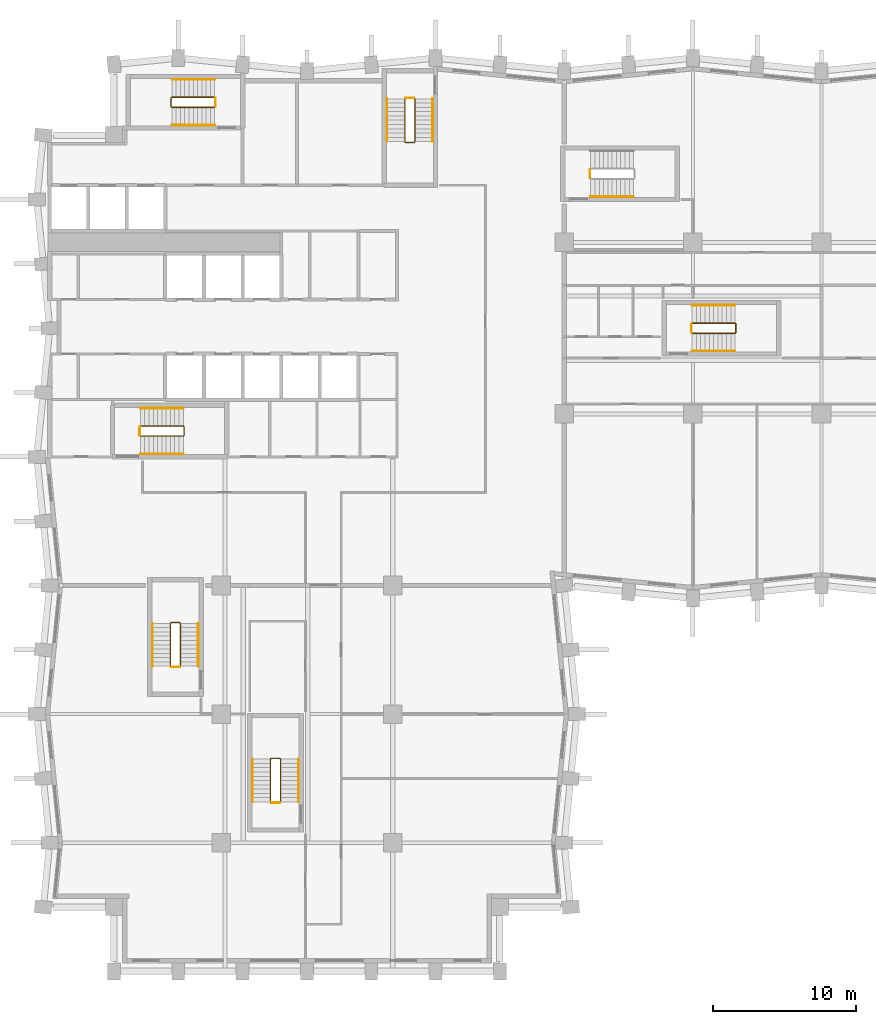
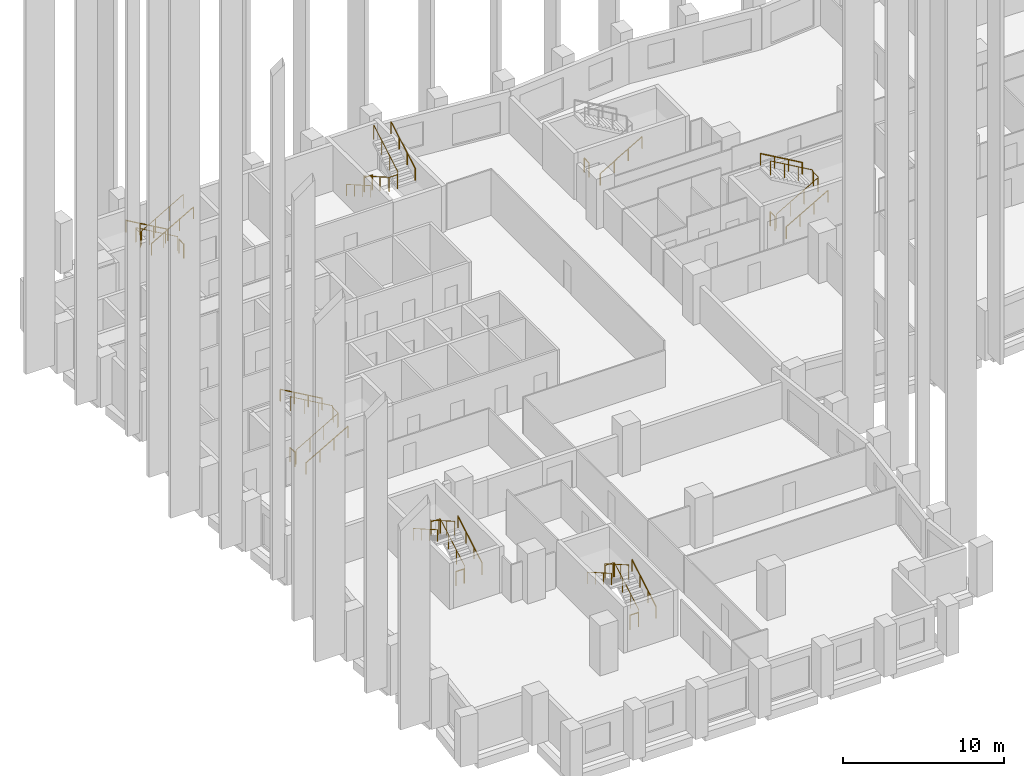
# One storey, part 11 of 12: 26 railings.
"""IFC4 building model written with IfcOpenShell, lengths in metres."""

from ifc_helpers import new_model, si_unit, direction, frame, origin, origin_2d, place, context, subcontext, project, spatial, circle, extrude, material, type_object, element, save


model = new_model("IFC4")

# Units and contexts
model_context = context("Model", 3, precision=1e-05, world=origin(), true_north=direction((0.0, 1.0)))
body_context = subcontext(model_context, "Body", "Model", "MODEL_VIEW")
ifc_project = project(units=[si_unit("LENGTHUNIT", "METRE"), si_unit("AREAUNIT", "SQUARE_METRE"), si_unit("VOLUMEUNIT", "CUBIC_METRE"), si_unit("PLANEANGLEUNIT", "RADIAN"), si_unit("MASSUNIT", "GRAM", prefix="KILO")], contexts=[model_context])

# Site, building, storey
site_placement = place(None, origin())
site = spatial("IfcSite", under=ifc_project, at=site_placement, CompositionType="ELEMENT")
building_placement = place(site_placement, origin())
building = spatial("IfcBuilding", under=site, at=building_placement, Name="Brondeck Convention Tower", CompositionType="ELEMENT")
storey_placement = place(building_placement, frame((0.0, 0.0, 88.5)))
storey = spatial("IfcBuildingStorey", under=building, at=storey_placement, Name="L20", CompositionType="ELEMENT", Elevation=88.5)

# Railings
ifc_material = material(Name="Steel S355", Category="steel")
railing_type_1 = type_object("IfcRailingType", Name="Stair guard 1100", PredefinedType="GUARDRAIL", material=ifc_material)
railing_1_placement = place(storey_placement, frame((6.35009765625, 37.449951171875, 0.172607421875)))
element("IfcRailing", 1, at=railing_1_placement, inside=storey, type_object=railing_type_1, Name="L20 ST-1 stair guard 1", PredefinedType="GUARDRAIL", context=body_context, shape_type="SweptSolid", body=[
    extrude(circle(Radius=0.02392578125, at=origin_2d()), frame((0.0, 0.0, 1.076171875), z_axis=(0.866619684472, 0.0, 0.498969260062), x_axis=(0.0, 1.0, 0.0)), (0.0, 0.0, 1.0), 3.461669921875),
    extrude(circle(Radius=0.02392578125, at=origin_2d()), frame((3.0, 0.0, 2.80322265625), z_axis=(0.705375805398, 0.708833529934, 0.0), x_axis=(-0.708833529934, 0.705375805398, 0.0)), (0.0, 0.0, 1.0), 0.070556640625),
    extrude(circle(Radius=0.02392578125, at=origin_2d()), frame((3.0498046875, 0.050048828125, 2.80322265625), z_axis=(0.0, 1.0, 0.0), x_axis=(-1.0, 0.0, 0.0)), (0.0, 0.0, 1.0), 0.60009765625),
    extrude(circle(Radius=0.02392578125, at=origin_2d()), frame((3.0498046875, 0.650146484375, 2.80322265625), z_axis=(-0.266832911964, 0.266832911964, 0.926067165051), x_axis=(-0.707106781187, -0.707106781187, 0.0)), (0.0, 0.0, 1.0), 0.186767578125),
    extrude(circle(Radius=0.02392578125, at=origin_2d()), frame((3.0, 0.699951171875, 2.97607421875), z_axis=(-0.866619684472, 0.0, 0.498969260062), x_axis=(0.0, -1.0, 0.0)), (0.0, 0.0, 1.0), 3.461669921875),
    extrude(circle(Radius=0.02099609375, at=origin_2d()), origin(), (0.0, 0.0, 1.0), 1.052001953125),
    extrude(circle(Radius=0.02099609375, at=origin_2d()), frame((1.0, 0.0, 0.57568359375)), (0.0, 0.0, 1.0), 1.052001953125),
    extrude(circle(Radius=0.02099609375, at=origin_2d()), frame((2.0, 0.0, 1.151611328125)), (0.0, 0.0, 1.0), 1.052001953125),
    extrude(circle(Radius=0.02099609375, at=origin_2d()), frame((3.0, 0.0, 1.727294921875)), (0.0, 0.0, 1.0), 1.052001953125),
    extrude(circle(Radius=0.02099609375, at=origin_2d()), frame((3.0498046875, 0.050048828125, 1.727294921875)), (0.0, 0.0, 1.0), 1.052001953125),
    extrude(circle(Radius=0.02099609375, at=origin_2d()), frame((3.0498046875, 0.650146484375, 1.727294921875)), (0.0, 0.0, 1.0), 1.052001953125),
    extrude(circle(Radius=0.02099609375, at=origin_2d()), frame((3.0, 0.699951171875, 1.900146484375)), (0.0, 0.0, 1.0), 1.052001953125),
    extrude(circle(Radius=0.02099609375, at=origin_2d()), frame((2.0, 0.699951171875, 2.475830078125)), (0.0, 0.0, 1.0), 1.052001953125),
    extrude(circle(Radius=0.02099609375, at=origin_2d()), frame((1.0, 0.699951171875, 3.0517578125)), (0.0, 0.0, 1.0), 1.052001953125),
    extrude(circle(Radius=0.02099609375, at=origin_2d()), frame((0.0, 0.699951171875, 3.62744140625)), (0.0, 0.0, 1.0), 1.052001953125),
])
railing_2_placement = place(storey_placement, frame((6.300048828125, 37.5, 0.0)))
element("IfcRailing", 2, at=railing_2_placement, inside=storey, type_object=railing_type_1, Name="L20 ST-1 stair guard 2", PredefinedType="GUARDRAIL", context=body_context, shape_type="SweptSolid", body=[
    extrude(circle(Radius=0.02392578125, at=origin_2d()), frame((0.0, 0.0, 1.076171875), z_axis=(0.0, 1.0, 0.0), x_axis=(-1.0, 0.0, 0.0)), (0.0, 0.0, 1.0), 0.60009765625),
    extrude(circle(Radius=0.02099609375, at=origin_2d()), origin(), (0.0, 0.0, 1.0), 1.052001953125),
    extrude(circle(Radius=0.02099609375, at=origin_2d()), frame((0.0, 0.60009765625, 0.0)), (0.0, 0.0, 1.0), 1.052001953125),
])
railing_3_placement = place(storey_placement, frame((24.85009765625, 61.050048828125, 0.172607421875)))
element("IfcRailing", 3, at=railing_3_placement, inside=storey, type_object=railing_type_1, Name="L20 ST-2 stair guard 1", PredefinedType="GUARDRAIL", context=body_context, shape_type="SweptSolid", body=[
    extrude(circle(Radius=0.02392578125, at=origin_2d()), frame((0.0, 0.0, 1.076171875), z_axis=(0.0, -0.866619684472, 0.498969260062), x_axis=(1.0, 0.0, 0.0)), (0.0, 0.0, 1.0), 3.461669921875),
    extrude(circle(Radius=0.02392578125, at=origin_2d()), frame((0.0, -3.0, 2.80322265625), z_axis=(0.705375805398, -0.708833529934, 0.0), x_axis=(0.708833529934, 0.705375805398, 0.0)), (0.0, 0.0, 1.0), 0.070556640625),
    extrude(circle(Radius=0.02392578125, at=origin_2d()), frame((0.0498046875, -3.050048828125, 2.80322265625), z_axis=(1.0, 0.0, 0.0), x_axis=(0.0, 1.0, 0.0)), (0.0, 0.0, 1.0), 0.60009765625),
    extrude(circle(Radius=0.02392578125, at=origin_2d()), frame((0.64990234375, -3.050048828125, 2.80322265625), z_axis=(0.267953482034, 0.267953482034, 0.925419830635), x_axis=(-0.707106781187, 0.707106781187, 0.0)), (0.0, 0.0, 1.0), 0.186767578125),
    extrude(circle(Radius=0.02392578125, at=origin_2d()), frame((0.699951171875, -3.0, 2.97607421875), z_axis=(0.0, 0.866619684472, 0.498969260062), x_axis=(-1.0, 0.0, 0.0)), (0.0, 0.0, 1.0), 3.461669921875),
    extrude(circle(Radius=0.02099609375, at=origin_2d()), origin(), (0.0, 0.0, 1.0), 1.052001953125),
    extrude(circle(Radius=0.02099609375, at=origin_2d()), frame((0.0, -1.0, 0.57568359375)), (0.0, 0.0, 1.0), 1.052001953125),
    extrude(circle(Radius=0.02099609375, at=origin_2d()), frame((0.0, -2.0, 1.151611328125)), (0.0, 0.0, 1.0), 1.052001953125),
    extrude(circle(Radius=0.02099609375, at=origin_2d()), frame((0.0, -3.0, 1.727294921875)), (0.0, 0.0, 1.0), 1.052001953125),
    extrude(circle(Radius=0.02099609375, at=origin_2d()), frame((0.0498046875, -3.050048828125, 1.727294921875)), (0.0, 0.0, 1.0), 1.052001953125),
    extrude(circle(Radius=0.02099609375, at=origin_2d()), frame((0.64990234375, -3.050048828125, 1.727294921875)), (0.0, 0.0, 1.0), 1.052001953125),
    extrude(circle(Radius=0.02099609375, at=origin_2d()), frame((0.699951171875, -3.0, 1.900146484375)), (0.0, 0.0, 1.0), 1.052001953125),
    extrude(circle(Radius=0.02099609375, at=origin_2d()), frame((0.699951171875, -2.0, 2.475830078125)), (0.0, 0.0, 1.0), 1.052001953125),
    extrude(circle(Radius=0.02099609375, at=origin_2d()), frame((0.699951171875, -1.0, 3.0517578125)), (0.0, 0.0, 1.0), 1.052001953125),
    extrude(circle(Radius=0.02099609375, at=origin_2d()), frame((0.699951171875, 0.0, 3.62744140625)), (0.0, 0.0, 1.0), 1.052001953125),
])
railing_4_placement = place(storey_placement, frame((24.89990234375, 61.10009765625, 0.0)))
element("IfcRailing", 4, at=railing_4_placement, inside=storey, type_object=railing_type_1, Name="L20 ST-2 stair guard 2", PredefinedType="GUARDRAIL", context=body_context, shape_type="SweptSolid", body=[
    extrude(circle(Radius=0.02392578125, at=origin_2d()), frame((0.0, 0.0, 1.076171875), z_axis=(1.0, 0.0, 0.0), x_axis=(0.0, 1.0, 0.0)), (0.0, 0.0, 1.0), 0.60009765625),
    extrude(circle(Radius=0.02099609375, at=origin_2d()), origin(), (0.0, 0.0, 1.0), 1.052001953125),
    extrude(circle(Radius=0.02099609375, at=origin_2d()), frame((0.60009765625, 0.0, 0.0)), (0.0, 0.0, 1.0), 1.052001953125),
])
railing_5_placement = place(storey_placement, frame((11.550048828125, 61.14990234375, 0.172607421875)))
element("IfcRailing", 5, at=railing_5_placement, inside=storey, type_object=railing_type_1, Name="L20 ST-3 stair guard 1", PredefinedType="GUARDRAIL", context=body_context, shape_type="SweptSolid", body=[
    extrude(circle(Radius=0.02392578125, at=origin_2d()), frame((0.0, 0.0, 1.076171875), z_axis=(-0.866619684472, 0.0, 0.498969260062), x_axis=(0.0, -1.0, 0.0)), (0.0, 0.0, 1.0), 3.461669921875),
    extrude(circle(Radius=0.02392578125, at=origin_2d()), frame((-3.0, 0.0, 2.80322265625), z_axis=(-0.708833529934, -0.705375805398, 0.0), x_axis=(0.705375805398, -0.708833529934, 0.0)), (0.0, 0.0, 1.0), 0.070556640625),
    extrude(circle(Radius=0.02392578125, at=origin_2d()), frame((-3.050048828125, -0.0498046875, 2.80322265625), z_axis=(0.0, -1.0, 0.0), x_axis=(1.0, 0.0, 0.0)), (0.0, 0.0, 1.0), 0.60009765625),
    extrude(circle(Radius=0.02392578125, at=origin_2d()), frame((-3.050048828125, -0.64990234375, 2.80322265625), z_axis=(0.267953482034, -0.267953482034, 0.925419830635), x_axis=(0.707106781187, 0.707106781187, 0.0)), (0.0, 0.0, 1.0), 0.186767578125),
    extrude(circle(Radius=0.02392578125, at=origin_2d()), frame((-3.0, -0.699951171875, 2.97607421875), z_axis=(0.866619684472, 0.0, 0.498969260062), x_axis=(0.0, 1.0, 0.0)), (0.0, 0.0, 1.0), 3.461669921875),
    extrude(circle(Radius=0.02099609375, at=origin_2d()), origin(), (0.0, 0.0, 1.0), 1.052001953125),
    extrude(circle(Radius=0.02099609375, at=origin_2d()), frame((-1.0, 0.0, 0.57568359375)), (0.0, 0.0, 1.0), 1.052001953125),
    extrude(circle(Radius=0.02099609375, at=origin_2d()), frame((-2.0, 0.0, 1.151611328125)), (0.0, 0.0, 1.0), 1.052001953125),
    extrude(circle(Radius=0.02099609375, at=origin_2d()), frame((-3.0, 0.0, 1.727294921875)), (0.0, 0.0, 1.0), 1.052001953125),
    extrude(circle(Radius=0.02099609375, at=origin_2d()), frame((-3.050048828125, -0.0498046875, 1.727294921875)), (0.0, 0.0, 1.0), 1.052001953125),
    extrude(circle(Radius=0.02099609375, at=origin_2d()), frame((-3.050048828125, -0.64990234375, 1.727294921875)), (0.0, 0.0, 1.0), 1.052001953125),
    extrude(circle(Radius=0.02099609375, at=origin_2d()), frame((-3.0, -0.699951171875, 1.900146484375)), (0.0, 0.0, 1.0), 1.052001953125),
    extrude(circle(Radius=0.02099609375, at=origin_2d()), frame((-2.0, -0.699951171875, 2.475830078125)), (0.0, 0.0, 1.0), 1.052001953125),
    extrude(circle(Radius=0.02099609375, at=origin_2d()), frame((-1.0, -0.699951171875, 3.0517578125)), (0.0, 0.0, 1.0), 1.052001953125),
    extrude(circle(Radius=0.02099609375, at=origin_2d()), frame((0.0, -0.699951171875, 3.62744140625)), (0.0, 0.0, 1.0), 1.052001953125),
])
railing_6_placement = place(storey_placement, frame((11.60009765625, 61.10009765625, 0.0)))
element("IfcRailing", 6, at=railing_6_placement, inside=storey, type_object=railing_type_1, Name="L20 ST-3 stair guard 2", PredefinedType="GUARDRAIL", context=body_context, shape_type="SweptSolid", body=[
    extrude(circle(Radius=0.02392578125, at=origin_2d()), frame((0.0, 0.0, 1.076171875), z_axis=(0.0, -1.0, 0.0), x_axis=(1.0, 0.0, 0.0)), (0.0, 0.0, 1.0), 0.60009765625),
    extrude(circle(Radius=0.02099609375, at=origin_2d()), origin(), (0.0, 0.0, 1.0), 1.052001953125),
    extrude(circle(Radius=0.02099609375, at=origin_2d()), frame((0.0, -0.60009765625, 0.0)), (0.0, 0.0, 1.0), 1.052001953125),
])
railing_7_placement = place(storey_placement, frame((37.800048828125, 55.5, 0.0)))
element("IfcRailing", 7, at=railing_7_placement, inside=storey, type_object=railing_type_1, Name="L20 ST-AE stair guard 2", PredefinedType="GUARDRAIL", context=body_context, shape_type="SweptSolid", body=[
    extrude(circle(Radius=0.02392578125, at=origin_2d()), frame((0.0, 0.0, 1.076171875), z_axis=(0.0, 1.0, 0.0), x_axis=(-1.0, 0.0, 0.0)), (0.0, 0.0, 1.0), 0.60009765625),
    extrude(circle(Radius=0.02099609375, at=origin_2d()), origin(), (0.0, 0.0, 1.0), 1.052001953125),
    extrude(circle(Radius=0.02099609375, at=origin_2d()), frame((0.0, 0.60009765625, 0.0)), (0.0, 0.0, 1.0), 1.052001953125),
])
railing_8_placement = place(storey_placement, frame((9.14990234375, 21.35009765625, 0.172607421875)))
element("IfcRailing", 8, at=railing_8_placement, inside=storey, type_object=railing_type_1, Name="L20 ST-BE stair guard 1", PredefinedType="GUARDRAIL", context=body_context, shape_type="SweptSolid", body=[
    extrude(circle(Radius=0.02392578125, at=origin_2d()), frame((0.0, 0.0, 1.076171875), z_axis=(0.0, 0.866619684472, 0.498969260062), x_axis=(-1.0, 0.0, 0.0)), (0.0, 0.0, 1.0), 3.461669921875),
    extrude(circle(Radius=0.02392578125, at=origin_2d()), frame((0.0, 3.0, 2.80322265625), z_axis=(-0.707106781187, 0.707106781187, 0.0), x_axis=(-0.707106781187, -0.707106781187, 0.0)), (0.0, 0.0, 1.0), 0.0703125),
    extrude(circle(Radius=0.02392578125, at=origin_2d()), frame((-0.0498046875, 3.0498046875, 2.80322265625), z_axis=(-1.0, 0.0, 0.0), x_axis=(0.0, -1.0, 0.0)), (0.0, 0.0, 1.0), 0.60009765625),
    extrude(circle(Radius=0.02392578125, at=origin_2d()), frame((-0.64990234375, 3.0498046875, 2.80322265625), z_axis=(-0.268047150085, -0.266739603011, 0.925743328097), x_axis=(0.705375805398, -0.708833529934, 0.0)), (0.0, 0.0, 1.0), 0.186767578125),
    extrude(circle(Radius=0.02392578125, at=origin_2d()), frame((-0.699951171875, 3.0, 2.97607421875), z_axis=(0.0, -0.866619684472, 0.498969260062), x_axis=(1.0, 0.0, 0.0)), (0.0, 0.0, 1.0), 3.461669921875),
    extrude(circle(Radius=0.02099609375, at=origin_2d()), origin(), (0.0, 0.0, 1.0), 1.052001953125),
    extrude(circle(Radius=0.02099609375, at=origin_2d()), frame((0.0, 1.0, 0.57568359375)), (0.0, 0.0, 1.0), 1.052001953125),
    extrude(circle(Radius=0.02099609375, at=origin_2d()), frame((0.0, 2.0, 1.151611328125)), (0.0, 0.0, 1.0), 1.052001953125),
    extrude(circle(Radius=0.02099609375, at=origin_2d()), frame((0.0, 3.0, 1.727294921875)), (0.0, 0.0, 1.0), 1.052001953125),
    extrude(circle(Radius=0.02099609375, at=origin_2d()), frame((-0.0498046875, 3.0498046875, 1.727294921875)), (0.0, 0.0, 1.0), 1.052001953125),
    extrude(circle(Radius=0.02099609375, at=origin_2d()), frame((-0.64990234375, 3.0498046875, 1.727294921875)), (0.0, 0.0, 1.0), 1.052001953125),
    extrude(circle(Radius=0.02099609375, at=origin_2d()), frame((-0.699951171875, 3.0, 1.900146484375)), (0.0, 0.0, 1.0), 1.052001953125),
    extrude(circle(Radius=0.02099609375, at=origin_2d()), frame((-0.699951171875, 2.0, 2.475830078125)), (0.0, 0.0, 1.0), 1.052001953125),
    extrude(circle(Radius=0.02099609375, at=origin_2d()), frame((-0.699951171875, 1.0, 3.0517578125)), (0.0, 0.0, 1.0), 1.052001953125),
    extrude(circle(Radius=0.02099609375, at=origin_2d()), frame((-0.699951171875, 0.0, 3.62744140625)), (0.0, 0.0, 1.0), 1.052001953125),
])
railing_9_placement = place(storey_placement, frame((9.10009765625, 21.300048828125, 0.0)))
element("IfcRailing", 9, at=railing_9_placement, inside=storey, type_object=railing_type_1, Name="L20 ST-BE stair guard 2", PredefinedType="GUARDRAIL", context=body_context, shape_type="SweptSolid", body=[
    extrude(circle(Radius=0.02392578125, at=origin_2d()), frame((0.0, 0.0, 1.076171875), z_axis=(-1.0, 0.0, 0.0), x_axis=(0.0, -1.0, 0.0)), (0.0, 0.0, 1.0), 0.60009765625),
    extrude(circle(Radius=0.02099609375, at=origin_2d()), origin(), (0.0, 0.0, 1.0), 1.052001953125),
    extrude(circle(Radius=0.02099609375, at=origin_2d()), frame((-0.60009765625, 0.0, 0.0)), (0.0, 0.0, 1.0), 1.052001953125),
])
railing_10_placement = place(storey_placement, frame((44.949951171875, 44.64990234375, 0.172607421875)))
element("IfcRailing", 10, at=railing_10_placement, inside=storey, type_object=railing_type_1, Name="L20 ST-AF stair guard 1", PredefinedType="GUARDRAIL", context=body_context, shape_type="SweptSolid", body=[
    extrude(circle(Radius=0.02392578125, at=origin_2d()), frame((0.0, 0.0, 1.076171875), z_axis=(0.866619684472, 0.0, 0.498969260062), x_axis=(0.0, 1.0, 0.0)), (0.0, 0.0, 1.0), 3.461669921875),
    extrude(circle(Radius=0.02392578125, at=origin_2d()), frame((3.0, 0.0, 2.80322265625), z_axis=(0.707106781187, 0.707106781187, 0.0), x_axis=(-0.707106781187, 0.707106781187, 0.0)), (0.0, 0.0, 1.0), 0.07080078125),
    extrude(circle(Radius=0.02392578125, at=origin_2d()), frame((3.050048828125, 0.050048828125, 2.80322265625), z_axis=(0.0, 1.0, 0.0), x_axis=(-1.0, 0.0, 0.0)), (0.0, 0.0, 1.0), 0.60009765625),
    extrude(circle(Radius=0.02392578125, at=origin_2d()), frame((3.050048828125, 0.650146484375, 2.80322265625), z_axis=(-0.267953482034, 0.267953482034, 0.925419830635), x_axis=(-0.707106781187, -0.707106781187, 0.0)), (0.0, 0.0, 1.0), 0.186767578125),
    extrude(circle(Radius=0.02392578125, at=origin_2d()), frame((3.0, 0.7001953125, 2.97607421875), z_axis=(-0.866619684472, 0.0, 0.498969260062), x_axis=(0.0, -1.0, 0.0)), (0.0, 0.0, 1.0), 3.461669921875),
    extrude(circle(Radius=0.02099609375, at=origin_2d()), origin(), (0.0, 0.0, 1.0), 1.052001953125),
    extrude(circle(Radius=0.02099609375, at=origin_2d()), frame((1.0, 0.0, 0.57568359375)), (0.0, 0.0, 1.0), 1.052001953125),
    extrude(circle(Radius=0.02099609375, at=origin_2d()), frame((2.0, 0.0, 1.151611328125)), (0.0, 0.0, 1.0), 1.052001953125),
    extrude(circle(Radius=0.02099609375, at=origin_2d()), frame((3.0, 0.0, 1.727294921875)), (0.0, 0.0, 1.0), 1.052001953125),
    extrude(circle(Radius=0.02099609375, at=origin_2d()), frame((3.050048828125, 0.050048828125, 1.727294921875)), (0.0, 0.0, 1.0), 1.052001953125),
    extrude(circle(Radius=0.02099609375, at=origin_2d()), frame((3.050048828125, 0.650146484375, 1.727294921875)), (0.0, 0.0, 1.0), 1.052001953125),
    extrude(circle(Radius=0.02099609375, at=origin_2d()), frame((3.0, 0.7001953125, 1.900146484375)), (0.0, 0.0, 1.0), 1.052001953125),
    extrude(circle(Radius=0.02099609375, at=origin_2d()), frame((2.0, 0.7001953125, 2.475830078125)), (0.0, 0.0, 1.0), 1.052001953125),
    extrude(circle(Radius=0.02099609375, at=origin_2d()), frame((1.0, 0.7001953125, 3.0517578125)), (0.0, 0.0, 1.0), 1.052001953125),
    extrude(circle(Radius=0.02099609375, at=origin_2d()), frame((0.0, 0.7001953125, 3.62744140625)), (0.0, 0.0, 1.0), 1.052001953125),
])
railing_11_placement = place(storey_placement, frame((44.89990234375, 44.699951171875, 0.0)))
element("IfcRailing", 11, at=railing_11_placement, inside=storey, type_object=railing_type_1, Name="L20 ST-AF stair guard 2", PredefinedType="GUARDRAIL", context=body_context, shape_type="SweptSolid", body=[
    extrude(circle(Radius=0.02392578125, at=origin_2d()), frame((0.0, 0.0, 1.076171875), z_axis=(0.0, 1.0, 0.0), x_axis=(-1.0, 0.0, 0.0)), (0.0, 0.0, 1.0), 0.60009765625),
    extrude(circle(Radius=0.02099609375, at=origin_2d()), origin(), (0.0, 0.0, 1.0), 1.052001953125),
    extrude(circle(Radius=0.02099609375, at=origin_2d()), frame((0.0, 0.60009765625, 0.0)), (0.0, 0.0, 1.0), 1.052001953125),
])
railing_12_placement = place(storey_placement, frame((16.14990234375, 11.85009765625, 0.172607421875)))
element("IfcRailing", 12, at=railing_12_placement, inside=storey, type_object=railing_type_1, Name="L20 ST-BF stair guard 1", PredefinedType="GUARDRAIL", context=body_context, shape_type="SweptSolid", body=[
    extrude(circle(Radius=0.02392578125, at=origin_2d()), frame((0.0, 0.0, 1.076171875), z_axis=(0.0, 0.866619684472, 0.498969260062), x_axis=(-1.0, 0.0, 0.0)), (0.0, 0.0, 1.0), 3.461669921875),
    extrude(circle(Radius=0.02392578125, at=origin_2d()), frame((0.0, 3.0, 2.80322265625), z_axis=(-0.707106781187, 0.707106781187, 0.0), x_axis=(-0.707106781187, -0.707106781187, 0.0)), (0.0, 0.0, 1.0), 0.0703125),
    extrude(circle(Radius=0.02392578125, at=origin_2d()), frame((-0.0498046875, 3.0498046875, 2.80322265625), z_axis=(-1.0, 0.0, 0.0), x_axis=(0.0, -1.0, 0.0)), (0.0, 0.0, 1.0), 0.60009765625),
    extrude(circle(Radius=0.02392578125, at=origin_2d()), frame((-0.64990234375, 3.0498046875, 2.80322265625), z_axis=(-0.268047150085, -0.266739603011, 0.925743328097), x_axis=(0.705375805398, -0.708833529934, 0.0)), (0.0, 0.0, 1.0), 0.186767578125),
    extrude(circle(Radius=0.02392578125, at=origin_2d()), frame((-0.699951171875, 3.0, 2.97607421875), z_axis=(0.0, -0.866619684472, 0.498969260062), x_axis=(1.0, 0.0, 0.0)), (0.0, 0.0, 1.0), 3.461669921875),
    extrude(circle(Radius=0.02099609375, at=origin_2d()), origin(), (0.0, 0.0, 1.0), 1.052001953125),
    extrude(circle(Radius=0.02099609375, at=origin_2d()), frame((0.0, 1.0, 0.57568359375)), (0.0, 0.0, 1.0), 1.052001953125),
    extrude(circle(Radius=0.02099609375, at=origin_2d()), frame((0.0, 2.0, 1.151611328125)), (0.0, 0.0, 1.0), 1.052001953125),
    extrude(circle(Radius=0.02099609375, at=origin_2d()), frame((0.0, 3.0, 1.727294921875)), (0.0, 0.0, 1.0), 1.052001953125),
    extrude(circle(Radius=0.02099609375, at=origin_2d()), frame((-0.0498046875, 3.0498046875, 1.727294921875)), (0.0, 0.0, 1.0), 1.052001953125),
    extrude(circle(Radius=0.02099609375, at=origin_2d()), frame((-0.64990234375, 3.0498046875, 1.727294921875)), (0.0, 0.0, 1.0), 1.052001953125),
    extrude(circle(Radius=0.02099609375, at=origin_2d()), frame((-0.699951171875, 3.0, 1.900146484375)), (0.0, 0.0, 1.0), 1.052001953125),
    extrude(circle(Radius=0.02099609375, at=origin_2d()), frame((-0.699951171875, 2.0, 2.475830078125)), (0.0, 0.0, 1.0), 1.052001953125),
    extrude(circle(Radius=0.02099609375, at=origin_2d()), frame((-0.699951171875, 1.0, 3.0517578125)), (0.0, 0.0, 1.0), 1.052001953125),
    extrude(circle(Radius=0.02099609375, at=origin_2d()), frame((-0.699951171875, 0.0, 3.62744140625)), (0.0, 0.0, 1.0), 1.052001953125),
])
railing_13_placement = place(storey_placement, frame((16.10009765625, 11.800048828125, 0.0)))
element("IfcRailing", 13, at=railing_13_placement, inside=storey, type_object=railing_type_1, Name="L20 ST-BF stair guard 2", PredefinedType="GUARDRAIL", context=body_context, shape_type="SweptSolid", body=[
    extrude(circle(Radius=0.02392578125, at=origin_2d()), frame((0.0, 0.0, 1.076171875), z_axis=(-1.0, 0.0, 0.0), x_axis=(0.0, -1.0, 0.0)), (0.0, 0.0, 1.0), 0.60009765625),
    extrude(circle(Radius=0.02099609375, at=origin_2d()), origin(), (0.0, 0.0, 1.0), 1.052001953125),
    extrude(circle(Radius=0.02099609375, at=origin_2d()), frame((-0.60009765625, 0.0, 0.0)), (0.0, 0.0, 1.0), 1.052001953125),
])
railing_type_2 = type_object("IfcRailingType", Name="Stair handrail", PredefinedType="HANDRAIL", material=ifc_material)
railing_14_placement = place(storey_placement, frame((6.35009765625, 36.199951171875, 0.172607421875)))
element("IfcRailing", 14, at=railing_14_placement, inside=storey, type_object=railing_type_2, Name="L20 ST-1 stair handrail 1", PredefinedType="HANDRAIL", context=body_context, shape_type="SweptSolid", body=[
    extrude(circle(Radius=0.02392578125, at=origin_2d()), frame((0.0, 0.0, 0.8759765625), z_axis=(0.866619684472, 0.0, 0.498969260062), x_axis=(0.0, 1.0, 0.0)), (0.0, 0.0, 1.0), 3.461669921875),
    extrude(circle(Radius=0.02099609375, at=origin_2d()), origin(), (0.0, 0.0, 1.0), 0.851806640625),
    extrude(circle(Radius=0.02099609375, at=origin_2d()), frame((1.0, 0.0, 0.57568359375)), (0.0, 0.0, 1.0), 0.851806640625),
    extrude(circle(Radius=0.02099609375, at=origin_2d()), frame((2.0, 0.0, 1.151611328125)), (0.0, 0.0, 1.0), 0.851806640625),
    extrude(circle(Radius=0.02099609375, at=origin_2d()), frame((3.0, 0.0, 1.727294921875)), (0.0, 0.0, 1.0), 0.851806640625),
])
railing_15_placement = place(storey_placement, frame((9.35009765625, 39.39990234375, 2.07275390625)))
element("IfcRailing", 15, at=railing_15_placement, inside=storey, type_object=railing_type_2, Name="L20 ST-1 stair handrail 2", PredefinedType="HANDRAIL", context=body_context, shape_type="SweptSolid", body=[
    extrude(circle(Radius=0.02392578125, at=origin_2d()), frame((0.0, 0.0, 0.8759765625), z_axis=(-0.866619684472, 0.0, 0.498969260062), x_axis=(0.0, -1.0, 0.0)), (0.0, 0.0, 1.0), 3.461669921875),
    extrude(circle(Radius=0.02099609375, at=origin_2d()), origin(), (0.0, 0.0, 1.0), 0.851806640625),
    extrude(circle(Radius=0.02099609375, at=origin_2d()), frame((-1.0, 0.0, 0.57568359375)), (0.0, 0.0, 1.0), 0.851806640625),
    extrude(circle(Radius=0.02099609375, at=origin_2d()), frame((-2.0, 0.0, 1.151611328125)), (0.0, 0.0, 1.0), 0.851806640625),
    extrude(circle(Radius=0.02099609375, at=origin_2d()), frame((-3.0, 0.0, 1.727294921875)), (0.0, 0.0, 1.0), 0.851806640625),
])
railing_16_placement = place(storey_placement, frame((23.60009765625, 61.050048828125, 0.172607421875)))
element("IfcRailing", 16, at=railing_16_placement, inside=storey, type_object=railing_type_2, Name="L20 ST-2 stair handrail 1", PredefinedType="HANDRAIL", context=body_context, shape_type="SweptSolid", body=[
    extrude(circle(Radius=0.02392578125, at=origin_2d()), frame((0.0, 0.0, 0.8759765625), z_axis=(0.0, -0.866619684472, 0.498969260062), x_axis=(1.0, 0.0, 0.0)), (0.0, 0.0, 1.0), 3.461669921875),
    extrude(circle(Radius=0.02099609375, at=origin_2d()), origin(), (0.0, 0.0, 1.0), 0.851806640625),
    extrude(circle(Radius=0.02099609375, at=origin_2d()), frame((0.0, -1.0, 0.57568359375)), (0.0, 0.0, 1.0), 0.851806640625),
    extrude(circle(Radius=0.02099609375, at=origin_2d()), frame((0.0, -2.0, 1.151611328125)), (0.0, 0.0, 1.0), 0.851806640625),
    extrude(circle(Radius=0.02099609375, at=origin_2d()), frame((0.0, -3.0, 1.727294921875)), (0.0, 0.0, 1.0), 0.851806640625),
])
railing_17_placement = place(storey_placement, frame((26.800048828125, 58.050048828125, 2.07275390625)))
element("IfcRailing", 17, at=railing_17_placement, inside=storey, type_object=railing_type_2, Name="L20 ST-2 stair handrail 2", PredefinedType="HANDRAIL", context=body_context, shape_type="SweptSolid", body=[
    extrude(circle(Radius=0.02392578125, at=origin_2d()), frame((0.0, 0.0, 0.8759765625), z_axis=(0.0, 0.866619684472, 0.498969260062), x_axis=(-1.0, 0.0, 0.0)), (0.0, 0.0, 1.0), 3.461669921875),
    extrude(circle(Radius=0.02099609375, at=origin_2d()), origin(), (0.0, 0.0, 1.0), 0.851806640625),
    extrude(circle(Radius=0.02099609375, at=origin_2d()), frame((0.0, 1.0, 0.57568359375)), (0.0, 0.0, 1.0), 0.851806640625),
    extrude(circle(Radius=0.02099609375, at=origin_2d()), frame((0.0, 2.0, 1.151611328125)), (0.0, 0.0, 1.0), 0.851806640625),
    extrude(circle(Radius=0.02099609375, at=origin_2d()), frame((0.0, 3.0, 1.727294921875)), (0.0, 0.0, 1.0), 0.851806640625),
])
railing_18_placement = place(storey_placement, frame((11.550048828125, 62.39990234375, 0.172607421875)))
element("IfcRailing", 18, at=railing_18_placement, inside=storey, type_object=railing_type_2, Name="L20 ST-3 stair handrail 1", PredefinedType="HANDRAIL", context=body_context, shape_type="SweptSolid", body=[
    extrude(circle(Radius=0.02392578125, at=origin_2d()), frame((0.0, 0.0, 0.8759765625), z_axis=(-0.866619684472, 0.0, 0.498969260062), x_axis=(0.0, -1.0, 0.0)), (0.0, 0.0, 1.0), 3.461669921875),
    extrude(circle(Radius=0.02099609375, at=origin_2d()), origin(), (0.0, 0.0, 1.0), 0.851806640625),
    extrude(circle(Radius=0.02099609375, at=origin_2d()), frame((-1.0, 0.0, 0.57568359375)), (0.0, 0.0, 1.0), 0.851806640625),
    extrude(circle(Radius=0.02099609375, at=origin_2d()), frame((-2.0, 0.0, 1.151611328125)), (0.0, 0.0, 1.0), 0.851806640625),
    extrude(circle(Radius=0.02099609375, at=origin_2d()), frame((-3.0, 0.0, 1.727294921875)), (0.0, 0.0, 1.0), 0.851806640625),
])
for number, where, name in (
    (19, (8.550048828125, 59.199951171875, 2.07275390625), "L20 ST-3 stair handrail 2"),
    (20, (37.85009765625, 54.199951171875, 0.172607421875), "L20 ST-AE stair handrail 1"),
):
    element("IfcRailing", number, at=place(storey_placement, frame(where)), inside=storey, type_object=railing_type_2, Name=name, PredefinedType="HANDRAIL", context=body_context, shape_type="SweptSolid", body=[
        extrude(circle(Radius=0.02392578125, at=origin_2d()), frame((0.0, 0.0, 0.8759765625), z_axis=(0.866619684472, 0.0, 0.498969260062), x_axis=(0.0, 1.0, 0.0)), (0.0, 0.0, 1.0), 3.461669921875),
        extrude(circle(Radius=0.02099609375, at=origin_2d()), origin(), (0.0, 0.0, 1.0), 0.851806640625),
        extrude(circle(Radius=0.02099609375, at=origin_2d()), frame((1.0, 0.0, 0.57568359375)), (0.0, 0.0, 1.0), 0.851806640625),
        extrude(circle(Radius=0.02099609375, at=origin_2d()), frame((2.0, 0.0, 1.151611328125)), (0.0, 0.0, 1.0), 0.851806640625),
        extrude(circle(Radius=0.02099609375, at=origin_2d()), frame((3.0, 0.0, 1.727294921875)), (0.0, 0.0, 1.0), 0.851806640625),
    ])
railing_19_placement = place(storey_placement, frame((10.39990234375, 21.35009765625, 0.172607421875)))
element("IfcRailing", 21, at=railing_19_placement, inside=storey, type_object=railing_type_2, Name="L20 ST-BE stair handrail 1", PredefinedType="HANDRAIL", context=body_context, shape_type="SweptSolid", body=[
    extrude(circle(Radius=0.02392578125, at=origin_2d()), frame((0.0, 0.0, 0.8759765625), z_axis=(0.0, 0.866619684472, 0.498969260062), x_axis=(-1.0, 0.0, 0.0)), (0.0, 0.0, 1.0), 3.461669921875),
    extrude(circle(Radius=0.02099609375, at=origin_2d()), origin(), (0.0, 0.0, 1.0), 0.851806640625),
    extrude(circle(Radius=0.02099609375, at=origin_2d()), frame((0.0, 1.0, 0.57568359375)), (0.0, 0.0, 1.0), 0.851806640625),
    extrude(circle(Radius=0.02099609375, at=origin_2d()), frame((0.0, 2.0, 1.151611328125)), (0.0, 0.0, 1.0), 0.851806640625),
    extrude(circle(Radius=0.02099609375, at=origin_2d()), frame((0.0, 3.0, 1.727294921875)), (0.0, 0.0, 1.0), 0.851806640625),
])
railing_20_placement = place(storey_placement, frame((7.199951171875, 24.35009765625, 2.07275390625)))
element("IfcRailing", 22, at=railing_20_placement, inside=storey, type_object=railing_type_2, Name="L20 ST-BE stair handrail 2", PredefinedType="HANDRAIL", context=body_context, shape_type="SweptSolid", body=[
    extrude(circle(Radius=0.02392578125, at=origin_2d()), frame((0.0, 0.0, 0.8759765625), z_axis=(0.0, -0.866619684472, 0.498969260062), x_axis=(1.0, 0.0, 0.0)), (0.0, 0.0, 1.0), 3.461669921875),
    extrude(circle(Radius=0.02099609375, at=origin_2d()), origin(), (0.0, 0.0, 1.0), 0.851806640625),
    extrude(circle(Radius=0.02099609375, at=origin_2d()), frame((0.0, -1.0, 0.57568359375)), (0.0, 0.0, 1.0), 0.851806640625),
    extrude(circle(Radius=0.02099609375, at=origin_2d()), frame((0.0, -2.0, 1.151611328125)), (0.0, 0.0, 1.0), 0.851806640625),
    extrude(circle(Radius=0.02099609375, at=origin_2d()), frame((0.0, -3.0, 1.727294921875)), (0.0, 0.0, 1.0), 0.851806640625),
])
railing_21_placement = place(storey_placement, frame((44.949951171875, 43.39990234375, 0.172607421875)))
element("IfcRailing", 23, at=railing_21_placement, inside=storey, type_object=railing_type_2, Name="L20 ST-AF stair handrail 1", PredefinedType="HANDRAIL", context=body_context, shape_type="SweptSolid", body=[
    extrude(circle(Radius=0.02392578125, at=origin_2d()), frame((0.0, 0.0, 0.8759765625), z_axis=(0.866619684472, 0.0, 0.498969260062), x_axis=(0.0, 1.0, 0.0)), (0.0, 0.0, 1.0), 3.461669921875),
    extrude(circle(Radius=0.02099609375, at=origin_2d()), origin(), (0.0, 0.0, 1.0), 0.851806640625),
    extrude(circle(Radius=0.02099609375, at=origin_2d()), frame((1.0, 0.0, 0.57568359375)), (0.0, 0.0, 1.0), 0.851806640625),
    extrude(circle(Radius=0.02099609375, at=origin_2d()), frame((2.0, 0.0, 1.151611328125)), (0.0, 0.0, 1.0), 0.851806640625),
    extrude(circle(Radius=0.02099609375, at=origin_2d()), frame((3.0, 0.0, 1.727294921875)), (0.0, 0.0, 1.0), 0.851806640625),
])
railing_22_placement = place(storey_placement, frame((47.949951171875, 46.60009765625, 2.07275390625)))
element("IfcRailing", 24, at=railing_22_placement, inside=storey, type_object=railing_type_2, Name="L20 ST-AF stair handrail 2", PredefinedType="HANDRAIL", context=body_context, shape_type="SweptSolid", body=[
    extrude(circle(Radius=0.02392578125, at=origin_2d()), frame((0.0, 0.0, 0.8759765625), z_axis=(-0.866619684472, 0.0, 0.498969260062), x_axis=(0.0, -1.0, 0.0)), (0.0, 0.0, 1.0), 3.461669921875),
    extrude(circle(Radius=0.02099609375, at=origin_2d()), origin(), (0.0, 0.0, 1.0), 0.851806640625),
    extrude(circle(Radius=0.02099609375, at=origin_2d()), frame((-1.0, 0.0, 0.57568359375)), (0.0, 0.0, 1.0), 0.851806640625),
    extrude(circle(Radius=0.02099609375, at=origin_2d()), frame((-2.0, 0.0, 1.151611328125)), (0.0, 0.0, 1.0), 0.851806640625),
    extrude(circle(Radius=0.02099609375, at=origin_2d()), frame((-3.0, 0.0, 1.727294921875)), (0.0, 0.0, 1.0), 0.851806640625),
])
railing_23_placement = place(storey_placement, frame((17.39990234375, 11.85009765625, 0.172607421875)))
element("IfcRailing", 25, at=railing_23_placement, inside=storey, type_object=railing_type_2, Name="L20 ST-BF stair handrail 1", PredefinedType="HANDRAIL", context=body_context, shape_type="SweptSolid", body=[
    extrude(circle(Radius=0.02392578125, at=origin_2d()), frame((0.0, 0.0, 0.8759765625), z_axis=(0.0, 0.866619684472, 0.498969260062), x_axis=(-1.0, 0.0, 0.0)), (0.0, 0.0, 1.0), 3.461669921875),
    extrude(circle(Radius=0.02099609375, at=origin_2d()), origin(), (0.0, 0.0, 1.0), 0.851806640625),
    extrude(circle(Radius=0.02099609375, at=origin_2d()), frame((0.0, 1.0, 0.57568359375)), (0.0, 0.0, 1.0), 0.851806640625),
    extrude(circle(Radius=0.02099609375, at=origin_2d()), frame((0.0, 2.0, 1.151611328125)), (0.0, 0.0, 1.0), 0.851806640625),
    extrude(circle(Radius=0.02099609375, at=origin_2d()), frame((0.0, 3.0, 1.727294921875)), (0.0, 0.0, 1.0), 0.851806640625),
])
railing_24_placement = place(storey_placement, frame((14.199951171875, 14.85009765625, 2.07275390625)))
element("IfcRailing", 26, at=railing_24_placement, inside=storey, type_object=railing_type_2, Name="L20 ST-BF stair handrail 2", PredefinedType="HANDRAIL", context=body_context, shape_type="SweptSolid", body=[
    extrude(circle(Radius=0.02392578125, at=origin_2d()), frame((0.0, 0.0, 0.8759765625), z_axis=(0.0, -0.866619684472, 0.498969260062), x_axis=(1.0, 0.0, 0.0)), (0.0, 0.0, 1.0), 3.461669921875),
    extrude(circle(Radius=0.02099609375, at=origin_2d()), origin(), (0.0, 0.0, 1.0), 0.851806640625),
    extrude(circle(Radius=0.02099609375, at=origin_2d()), frame((0.0, -1.0, 0.57568359375)), (0.0, 0.0, 1.0), 0.851806640625),
    extrude(circle(Radius=0.02099609375, at=origin_2d()), frame((0.0, -2.0, 1.151611328125)), (0.0, 0.0, 1.0), 0.851806640625),
    extrude(circle(Radius=0.02099609375, at=origin_2d()), frame((0.0, -3.0, 1.727294921875)), (0.0, 0.0, 1.0), 0.851806640625),
])

save(model, "model.ifc")
